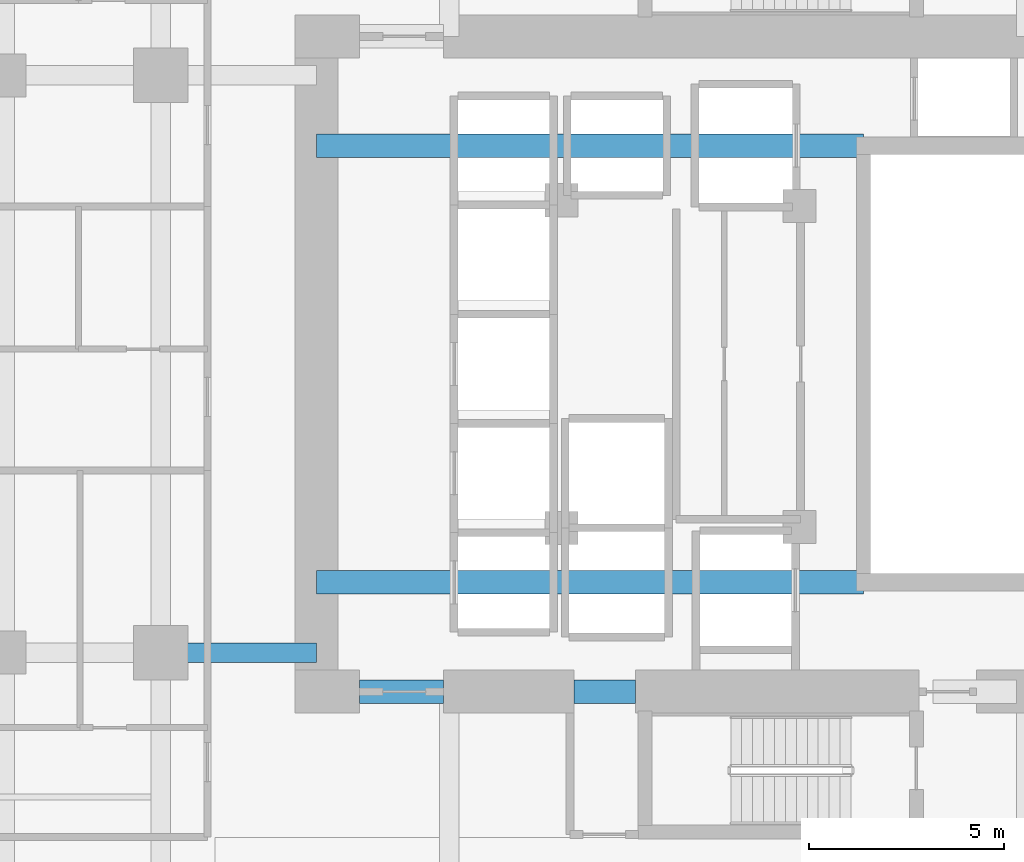
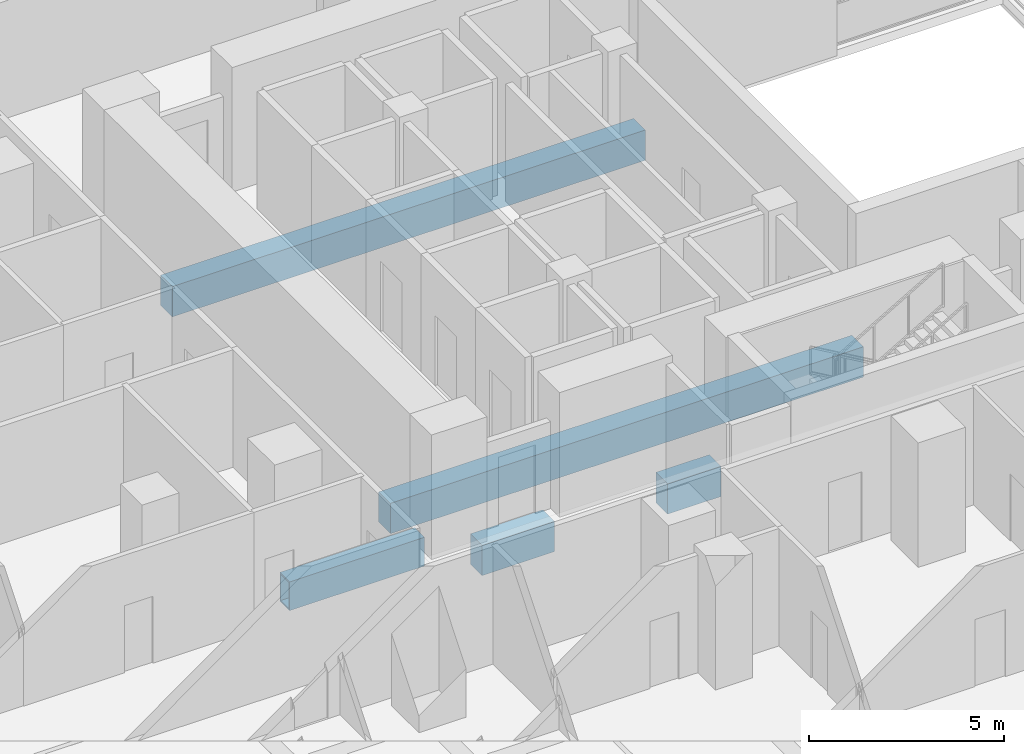
# One storey, part 7 of 29: 5 beams.
"""IFC4 building model written with IfcOpenShell, lengths in metres."""

from ifc_helpers import new_model, si_unit, direction, frame, origin, origin_2d, place, context, subcontext, project, spatial, rectangle, hollow_rectangle, extrude, material, material_profile, profile_set, type_object, element, save


model = new_model("IFC4")

# Units and contexts
model_context = context("Model", 3, precision=1e-05, world=origin(), true_north=direction((0.0, 1.0)))
body_context = subcontext(model_context, "Body", "Model", "MODEL_VIEW")
ifc_project = project(units=[si_unit("LENGTHUNIT", "METRE"), si_unit("AREAUNIT", "SQUARE_METRE"), si_unit("VOLUMEUNIT", "CUBIC_METRE"), si_unit("PLANEANGLEUNIT", "RADIAN"), si_unit("MASSUNIT", "GRAM", prefix="KILO")], contexts=[model_context])

# Site, building, storey
site_placement = place(None, origin())
site = spatial("IfcSite", under=ifc_project, at=site_placement, CompositionType="ELEMENT")
building_placement = place(site_placement, origin())
building = spatial("IfcBuilding", under=site, at=building_placement, Name="Khorvyn Point Tower", CompositionType="ELEMENT")
storey_placement = place(building_placement, frame((0.0, 0.0, 54.0)))
storey = spatial("IfcBuildingStorey", under=building, at=storey_placement, Name="L14", CompositionType="ELEMENT", Elevation=54.0)

# Beams
ifc_material_1 = material(Name="Concrete C50/60", Category="concrete")
ifc_material_profile_1 = material_profile(ifc_material_1, rectangle(XDim=0.60009765625, YDim=0.949951171875, at=origin_2d()))
ifc_profile_set_1 = profile_set([ifc_material_profile_1], Name="Concrete C50/60 RC600x950")
beam_type_1 = type_object("IfcBeamType", Name="Concrete C50/60 Beam RC600x950", PredefinedType="BEAM", material=ifc_profile_set_1)
for number, where, z_axis, x_axis, name in (
    (1, (-10.800048828125, -5.60009765625, -0.7548828125), (1.0, 0.0, 0.0), (0.0, 1.0, 0.0), "L14 Core Internal Tie Girder S"),
    (2, (-10.800048828125, 5.60009765625, -0.7548828125), (1.0, 0.0, 0.0), (0.0, 1.0, 0.0), "L14 Core Internal Tie Girder N"),
):
    element("IfcBeam", number, at=place(storey_placement, frame(where, z_axis=z_axis, x_axis=x_axis)), inside=storey, type_object=beam_type_1, Name=name, PredefinedType="BEAM", context=body_context, shape_type="SweptSolid", body=[
        extrude(rectangle(XDim=0.60009765625, YDim=0.949951171875, at=origin_2d()), origin(), (0.0, 0.0, 1.0), 14.02001953125),
    ])
beam_1_placement = place(storey_placement, frame((-9.699951171875, -8.39990234375, -0.7548828125), z_axis=(1.0, 0.0, 0.0), x_axis=(0.0, 1.0, 0.0)))
element("IfcBeam", 3, at=beam_1_placement, inside=storey, type_object=beam_type_1, Name="L14 Core Southwest Portal Coupling Beam", PredefinedType="BEAM", context=body_context, shape_type="SweptSolid", body=[
    extrude(rectangle(XDim=0.60009765625, YDim=0.949951171875, at=origin_2d()), origin(), (0.0, 0.0, 1.0), 2.14990234375),
])
beam_2_placement = place(storey_placement, frame((-4.199951171875, -8.39990234375, -0.7548828125), z_axis=(1.0, 0.0, 0.0), x_axis=(0.0, 1.0, 0.0)))
element("IfcBeam", 4, at=beam_2_placement, inside=storey, type_object=beam_type_1, Name="L14 Core Shuttle Portal Coupling Beam", PredefinedType="BEAM", context=body_context, shape_type="SweptSolid", body=[
    extrude(rectangle(XDim=0.60009765625, YDim=0.949951171875, at=origin_2d()), origin(), (0.0, 0.0, 1.0), 1.579833984375),
])
ifc_material_2 = material(Name="Steel S450", Category="steel")
ifc_material_profile_2 = material_profile(ifc_material_2, hollow_rectangle(XDim=0.5, YDim=0.89990234375, WallThickness=0.0400390625, at=origin_2d()))
ifc_profile_set_2 = profile_set([ifc_material_profile_2], Name="Steel S450 BOX900x500x40")
beam_type_2 = type_object("IfcBeamType", Name="Steel S450 Beam BOX900x500x40", PredefinedType="BEAM", material=ifc_profile_set_2)
beam_3_placement = place(storey_placement, frame((-14.800048828125, -7.39990234375, -0.72998046875), z_axis=(1.0, 0.0, 0.0), x_axis=(0.0, 1.0, 0.0)))
element("IfcBeam", 5, at=beam_3_placement, inside=storey, type_object=beam_type_2, Name="Beam", PredefinedType="BEAM", context=body_context, shape_type="SweptSolid", body=[
    extrude(hollow_rectangle(XDim=0.5, YDim=0.89990234375, WallThickness=0.0400390625, at=origin_2d()), origin(), (0.0, 0.0, 1.0), 4.0),
])

save(model, "model.ifc")
